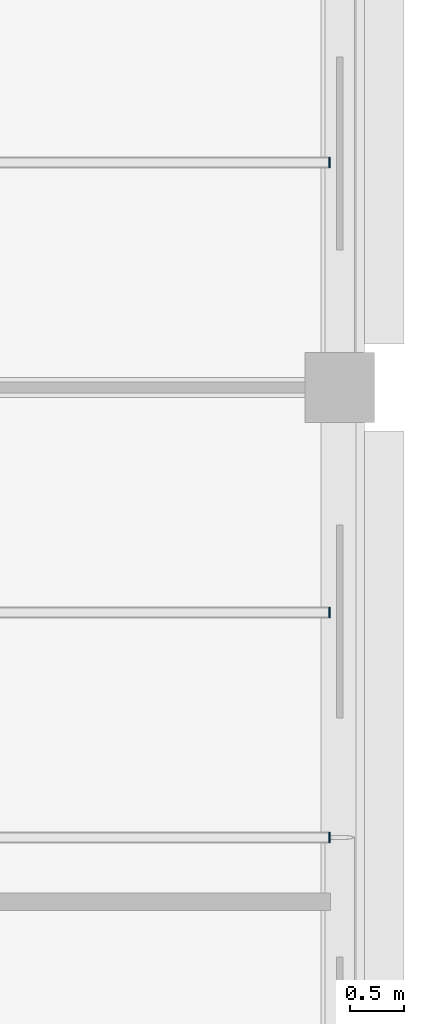
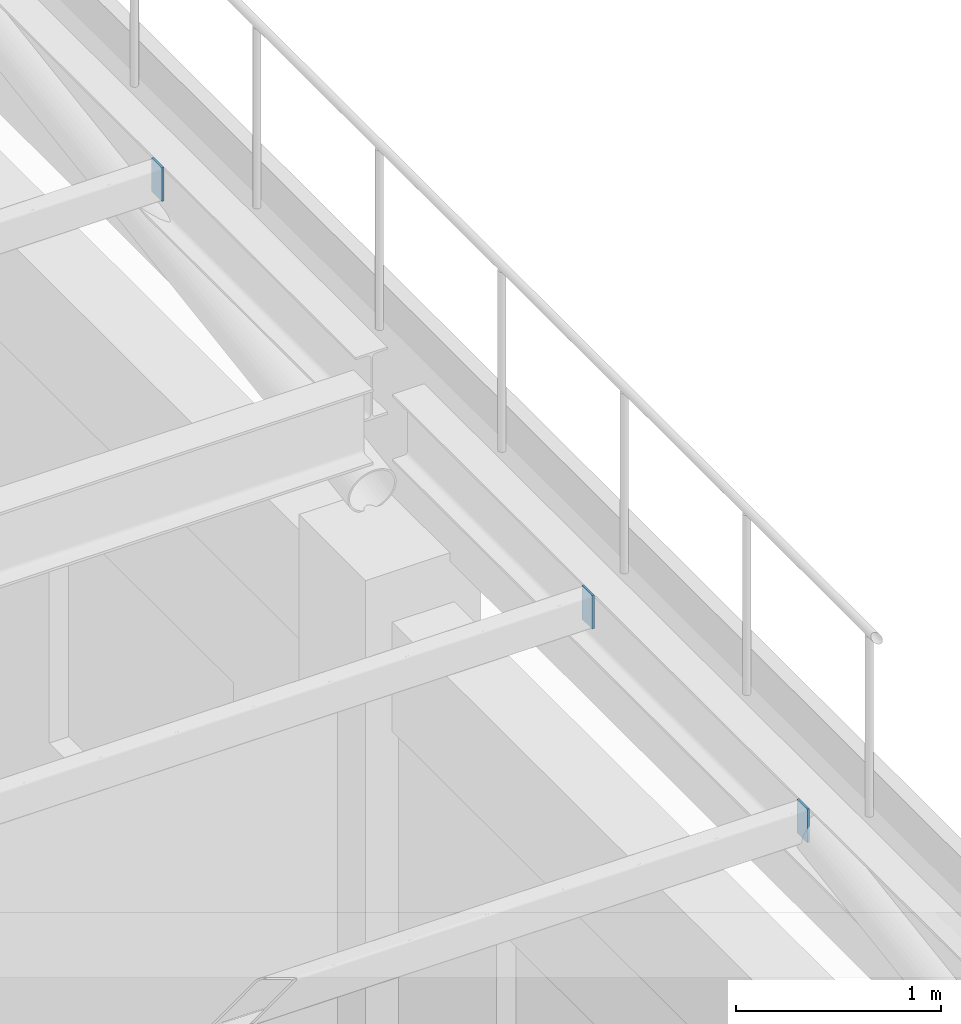
# One storey, part 8 of 20: 3 plates.
"""IFC4 building model written with IfcOpenShell, lengths in metres."""

from ifc_helpers import new_model, si_unit, direction, frame, origin, origin_2d, place, context, subcontext, project, spatial, rectangle, extrude, material, layer, layer_set, type_object, element, save


model = new_model("IFC4")

# Units and contexts
model_context = context("Model", 3, precision=1e-05, world=origin(), true_north=direction((0.0, 1.0)))
body_context = subcontext(model_context, "Body", "Model", "MODEL_VIEW")
ifc_project = project(units=[si_unit("LENGTHUNIT", "METRE"), si_unit("AREAUNIT", "SQUARE_METRE"), si_unit("VOLUMEUNIT", "CUBIC_METRE"), si_unit("PLANEANGLEUNIT", "RADIAN"), si_unit("MASSUNIT", "GRAM", prefix="KILO"), si_unit("THERMODYNAMICTEMPERATUREUNIT", "KELVIN"), si_unit("POWERUNIT", "WATT")], contexts=[model_context])

# Site, building, storey
site_placement = place(None, origin())
site = spatial("IfcSite", under=ifc_project, at=site_placement, CompositionType="ELEMENT")
building_placement = place(site_placement, origin())
building = spatial("IfcBuilding", under=site, at=building_placement, Name="Srebrne Nadtorze General Hospital", CompositionType="ELEMENT")
storey_placement = place(building_placement, frame((0.0, 0.0, 33.89990234375)))
storey = spatial("IfcBuildingStorey", under=building, at=storey_placement, Name="L08", CompositionType="ELEMENT", Elevation=33.89990234375)

# Plates
ifc_material = material(Name="Steel S355J2", Category="steel")
ifc_layer = layer(ifc_material, 0.011962890625)
ifc_layer_set = layer_set([ifc_layer], Name="Steel S355J2")
plate_type = type_object("IfcPlateType", Name="Steel bearing plate 12", PredefinedType="SHEET", material=ifc_layer_set)
for number, where, z_axis, x_axis, name in (
    (1, (54.50390625, 54.60009765625, 4.64013671875), (0.0, 0.0, 1.0), (1.0, 0.0, 0.0), "Helipad deck purlin end plate 20-2"),
    (2, (54.50390625, 56.699951171875, 4.64013671875), (0.0, 0.0, 1.0), (1.0, 0.0, 0.0), "Helipad deck purlin end plate 21-2"),
    (3, (54.50390625, 60.89990234375, 4.64013671875), (0.0, 0.0, 1.0), (1.0, 0.0, 0.0), "Helipad deck purlin end plate 22-2"),
):
    element("IfcPlate", number, at=place(storey_placement, frame(where, z_axis=z_axis, x_axis=x_axis)), inside=storey, type_object=plate_type, Name=name, PredefinedType="SHEET", context=body_context, shape_type="SweptSolid", body=[
        extrude(rectangle(XDim=0.011962890625, YDim=0.10009765625, at=origin_2d()), origin(), (0.0, 0.0, 1.0), 0.199951171875),
    ])

save(model, "model.ifc")
